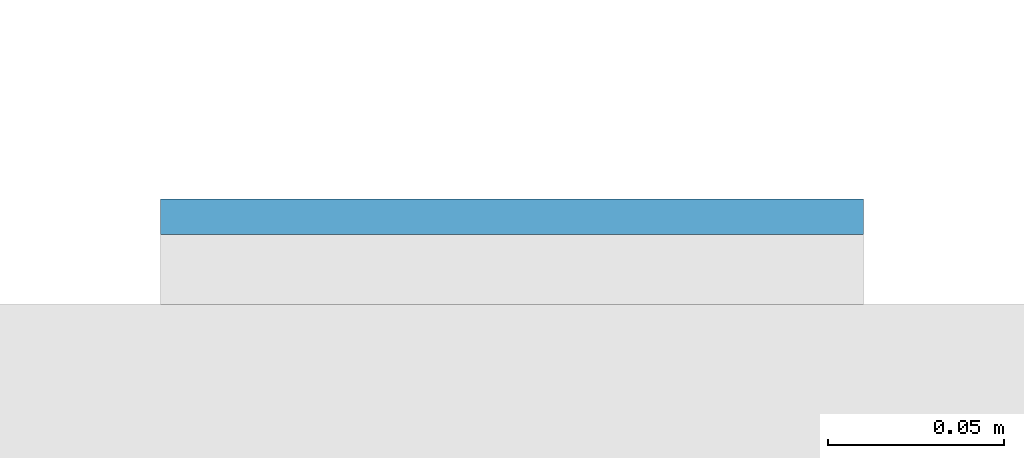
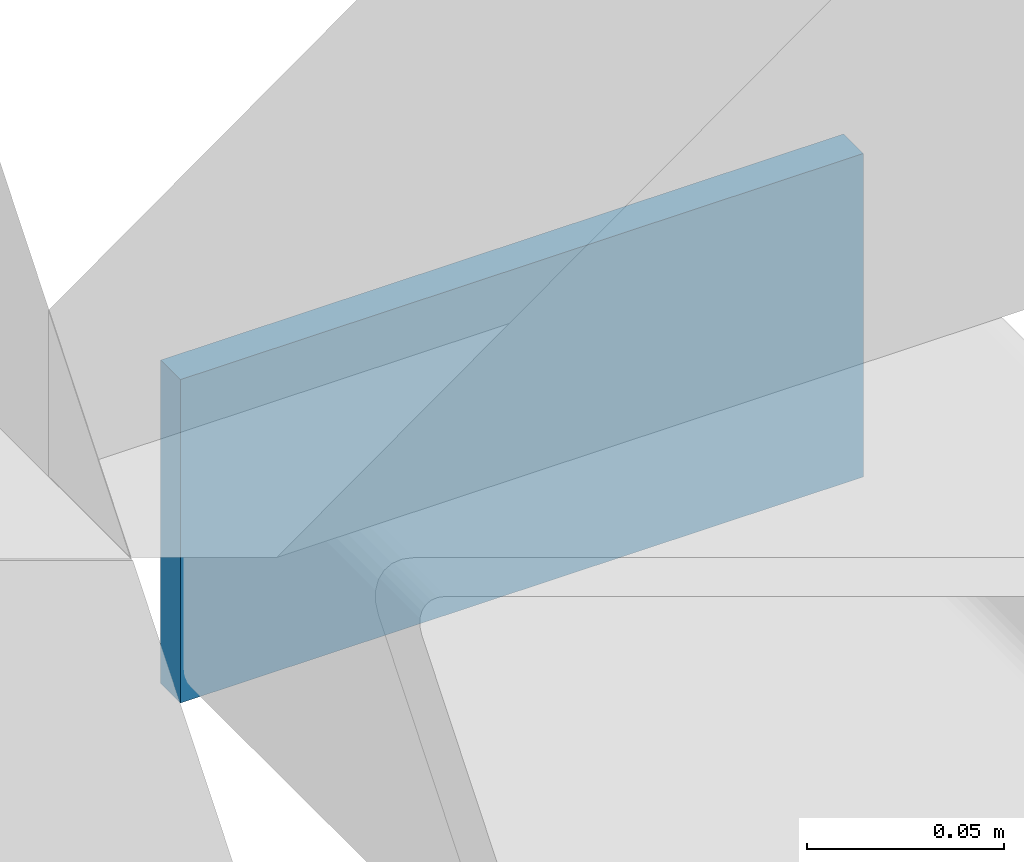
# One storey, part 11 of 20: 1 plate.
"""IFC4 building model written with IfcOpenShell, lengths in metres."""

import ifcopenshell
import ifcopenshell.guid

model = None  # the IFC model being written
_history = None  # IfcOwnerHistory: only IFC2X3 demands one
_inside = {}  # id of a spatial element -> (the spatial element, [elements in it])
_under = {}  # id of a project, library or spatial element -> (it, [spatial elements below it])
_declared = {}  # id of a project -> (the project, [libraries it declares])
_typed = {}  # id of a type object -> (the type object, [elements of that type])
_made_of = {}  # id of a material, layer set ... -> (it, [elements and type objects made of it])


def new_model(schema):
    """Start an empty IFC model of exactly this schema.

    Asked for "IFC4X3", IfcOpenShell would pick the latest addendum, in which some entities
    have other attributes; the version numbers below select the first issue.
    IFC2X3 requires an IfcOwnerHistory on every rooted entity: one is made here for all.
    """
    global model, _history
    if schema == "IFC4X3":
        model = ifcopenshell.file(schema_version=(4, 3, 0, 0))
    else:
        model = ifcopenshell.file(schema=schema)
    _inside.clear()
    _under.clear()
    _declared.clear()
    _typed.clear()
    _made_of.clear()
    _history = None
    if model.schema == "IFC2X3":
        org = make("IfcOrganization", Name="unknown")
        user = make(
            "IfcPersonAndOrganization",
            ThePerson=make("IfcPerson", FamilyName="unknown"),
            TheOrganization=org,
        )
        app = make(
            "IfcApplication",
            ApplicationDeveloper=org,
            Version="unknown",
            ApplicationFullName="unknown",
            ApplicationIdentifier="unknown",
        )
        _history = make(
            "IfcOwnerHistory",
            OwningUser=user,
            OwningApplication=app,
            ChangeAction="ADDED",
            CreationDate=0,
        )
    return model


def make(cls, **values):
    """One entity of the class cls with the attributes given. An attribute that is None is left unset."""
    return model.create_entity(
        cls, **{name: value for name, value in values.items() if value is not None}
    )


def rooted(cls, **values):
    """An entity with a GlobalId (a new one), such as an element, a storey or a relation."""
    return make(cls, GlobalId=ifcopenshell.guid.new(), OwnerHistory=_history, **values)


def si_unit(unit_type, name, prefix=None):
    """IfcSIUnit, for example si_unit("LENGTHUNIT", "METRE", prefix="MILLI")."""
    return make("IfcSIUnit", UnitType=unit_type, Prefix=prefix, Name=name)


def assignment(units):
    """IfcUnitAssignment: the units of a project."""
    return None if units is None else make("IfcUnitAssignment", Units=units)


def point(xyz):
    """IfcCartesianPoint."""
    return None if xyz is None else make("IfcCartesianPoint", Coordinates=xyz)


def direction(xyz):
    """IfcDirection."""
    return None if xyz is None else make("IfcDirection", DirectionRatios=xyz)


def frame(location, z_axis=None, x_axis=None):
    """IfcAxis2Placement3D, a coordinate frame: its origin and axes. An axis left out is left unset."""
    return make(
        "IfcAxis2Placement3D",
        Location=point(location),
        Axis=direction(z_axis),
        RefDirection=direction(x_axis),
    )


def frame_2d(location, x_axis=None):
    """IfcAxis2Placement2D, a coordinate frame in the plane: its origin and x axis."""
    return make(
        "IfcAxis2Placement2D", Location=point(location), RefDirection=direction(x_axis)
    )


def origin():
    """The frame at (0, 0, 0) with its axes left unset."""
    return frame((0.0, 0.0, 0.0))


def origin_2d():
    """The frame at (0, 0) in the plane with its x axis left unset."""
    return frame_2d((0.0, 0.0))


def place(relative_to, where):
    """IfcLocalPlacement: puts the frame where relative to a parent placement (None: the world)."""
    return make(
        "IfcLocalPlacement", PlacementRelTo=relative_to, RelativePlacement=where
    )


def context(
    kind, dimensions, precision=None, world=None, true_north=None, identifier=None
):
    """IfcGeometricRepresentationContext, for example the 3D "Model" context."""
    return make(
        "IfcGeometricRepresentationContext",
        ContextIdentifier=identifier,
        ContextType=kind,
        CoordinateSpaceDimension=dimensions,
        Precision=precision,
        WorldCoordinateSystem=world,
        TrueNorth=true_north,
    )


def subcontext(parent, identifier, kind, view, scale=None):
    """IfcGeometricRepresentationSubContext, for example "Body" below "Model"."""
    return make(
        "IfcGeometricRepresentationSubContext",
        ContextIdentifier=identifier,
        ContextType=kind,
        ParentContext=parent,
        TargetScale=scale,
        TargetView=view,
    )


def project(units=None, contexts=None):
    """IfcProject with its units and contexts."""
    return rooted(
        "IfcProject",
        Name="project",
        RepresentationContexts=contexts,
        UnitsInContext=assignment(units),
    )


def spatial(cls, under=None, at=None, **own):
    """A site, building, storey or space (cls), placed at a placement, below another one or the project."""
    s = rooted(cls, ObjectPlacement=at, **own)
    if under is not None:
        _under.setdefault(under.id(), (under, []))[1].append(s)
    return s


def profile(cls, at=None, kind="AREA", **sizes):
    """A parametric profile (cls). Its sizes go by their IFC names, for example OverallWidth=200.0."""
    return make(cls, ProfileType=kind, Position=at, **sizes)


def rectangle(**sizes):
    """IfcRectangleProfileDef."""
    return profile("IfcRectangleProfileDef", **sizes)


def extrude(swept, where, along, depth):
    """IfcExtrudedAreaSolid: the profile swept, set in the frame where, extruded along a direction by depth."""
    return make(
        "IfcExtrudedAreaSolid",
        SweptArea=swept,
        Position=where,
        ExtrudedDirection=direction(along),
        Depth=depth,
    )


def shape(context_of_items, identifier, shape_type, items):
    """IfcShapeRepresentation: the items that make up one representation, for example the "Body"."""
    return make(
        "IfcShapeRepresentation",
        ContextOfItems=context_of_items,
        RepresentationIdentifier=identifier,
        RepresentationType=shape_type,
        Items=items,
    )


def material(Name=None, Category=None):
    """IfcMaterial."""
    return make("IfcMaterial", Name=Name, Category=Category)


def layer(
    of_material, thickness, ventilated=None, Name=None, Category=None, Priority=None
):
    """IfcMaterialLayer: one layer of a wall or slab, of a material (None: an air gap)."""
    return make(
        "IfcMaterialLayer",
        Material=of_material,
        LayerThickness=thickness,
        IsVentilated=ventilated,
        Name=Name,
        Category=Category,
        Priority=Priority,
    )


def layer_set(layers, Name=None):
    """IfcMaterialLayerSet."""
    return make("IfcMaterialLayerSet", MaterialLayers=layers, LayerSetName=Name)


def made_of(thing, what):
    """Note that an element or type object is made of a material, layer set ...; save() writes the relation."""
    if what is not None:
        _made_of.setdefault(what.id(), (what, []))[1].append(thing)
    return thing


def type_object(cls, material=None, **own):
    """A type object (cls), such as IfcWallType, which elements share."""
    return made_of(rooted(cls, **own), material)


def element(
    cls,
    number,
    at=None,
    inside=None,
    cuts=None,
    type_object=None,
    material=None,
    context=None,
    identifier="Body",
    shape_type=None,
    held_by="IfcProductDefinitionShape",
    body=None,
    shapes=None,
    **own,
):
    """One element of the class cls, such as IfcWall. Its Tag is "e" and its number.

    at: its placement. inside: the storey or other place that contains it. cuts: it is an
    opening in that element (IfcRelVoidsElement). A single representation is given by context,
    identifier, shape_type and body (its items); several are given by shapes. held_by: the class
    of the entity that holds the representations. save() writes the other relations.
    """
    e = rooted(cls, Tag="e%d" % number, ObjectPlacement=at, **own)
    if body is not None:
        shapes = [shape(context, identifier, shape_type, body)]
    if shapes is not None:
        e.Representation = make(held_by, Representations=shapes)
    if inside is not None:
        _inside.setdefault(inside.id(), (inside, []))[1].append(e)
    if cuts is not None:
        rooted(
            "IfcRelVoidsElement", RelatingBuildingElement=cuts, RelatedOpeningElement=e
        )
    if type_object is not None:
        _typed.setdefault(type_object.id(), (type_object, []))[1].append(e)
    return made_of(e, material)


def aggregate(whole, parts):
    """IfcRelAggregates: a whole, such as a stair, and the parts it consists of."""
    return rooted("IfcRelAggregates", RelatingObject=whole, RelatedObjects=parts)


def save(model, path):
    """Write the relations noted so far, then the file.

    IfcRelAggregates (storeys below a building ...), IfcRelContainedInSpatialStructure (elements
    in a storey), IfcRelDefinesByType, IfcRelAssociatesMaterial and IfcRelDeclares: one each for
    every whole, place, type object, material and project.
    """
    for whole, parts in _under.values():
        aggregate(whole, parts)
    for where, things in _inside.values():
        rooted(
            "IfcRelContainedInSpatialStructure",
            RelatedElements=things,
            RelatingStructure=where,
        )
    for kind, things in _typed.values():
        rooted("IfcRelDefinesByType", RelatedObjects=things, RelatingType=kind)
    for what, things in _made_of.values():
        rooted("IfcRelAssociatesMaterial", RelatedObjects=things, RelatingMaterial=what)
    for by, libraries in _declared.values():
        rooted("IfcRelDeclares", RelatingContext=by, RelatedDefinitions=libraries)
    model.write(path)


model = new_model("IFC4")

# Units and contexts
model_context = context("Model", 3, precision=1e-05, world=origin(), true_north=direction((0.0, 1.0)))
body_context = subcontext(model_context, "Body", "Model", "MODEL_VIEW")
ifc_project = project(units=[si_unit("LENGTHUNIT", "METRE"), si_unit("AREAUNIT", "SQUARE_METRE"), si_unit("VOLUMEUNIT", "CUBIC_METRE"), si_unit("PLANEANGLEUNIT", "RADIAN"), si_unit("MASSUNIT", "GRAM", prefix="KILO")], contexts=[model_context])

# Site, building, storey
site_placement = place(None, origin())
site = spatial("IfcSite", under=ifc_project, at=site_placement, CompositionType="ELEMENT")
building_placement = place(site_placement, origin())
building = spatial("IfcBuilding", under=site, at=building_placement, Name="Cleftline Residences", CompositionType="ELEMENT")
storey_placement = place(building_placement, frame((0.0, 0.0, 76.39990234375)))
storey = spatial("IfcBuildingStorey", under=building, at=storey_placement, Name="L19", CompositionType="ELEMENT", Elevation=76.39990234375)

# Plate
ifc_material = material(Name="Steel S355, hot-dip galvanised", Category="steel")
ifc_layer = layer(ifc_material, 0.010009765625)
ifc_layer_set = layer_set([ifc_layer], Name="BAGUETTE CARRIER END PLATE 200X100X10")
plate_type = type_object("IfcPlateType", Name="BAGUETTE CARRIER END PLATE 200X100X10", PredefinedType="USERDEFINED", material=ifc_layer_set)
plate_placement = place(storey_placement, frame((66.85009765625, 44.304931640625, -0.099853515625), z_axis=(0.0, 0.0, 1.0), x_axis=(1.0, 0.0, 0.0)))
element("IfcPlate", 1, at=plate_placement, inside=storey, type_object=plate_type, Name="Baguette carrier end plate", ObjectType="BAGUETTE CARRIER END PLATE", PredefinedType="USERDEFINED", context=body_context, shape_type="SweptSolid", body=[
    extrude(rectangle(XDim=0.199951171875, YDim=0.010009765625, at=origin_2d()), origin(), (0.0, 0.0, 1.0), 0.10009765625),
])

save(model, "model.ifc")
